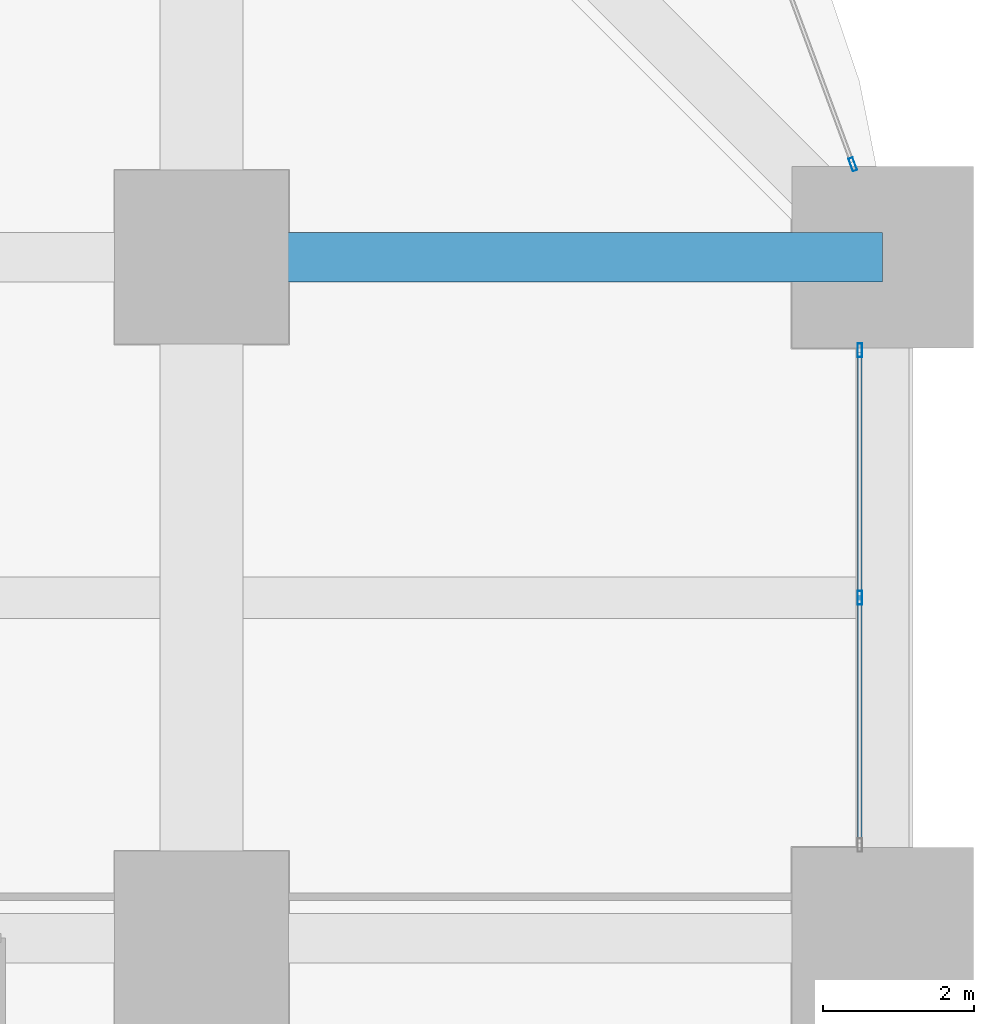
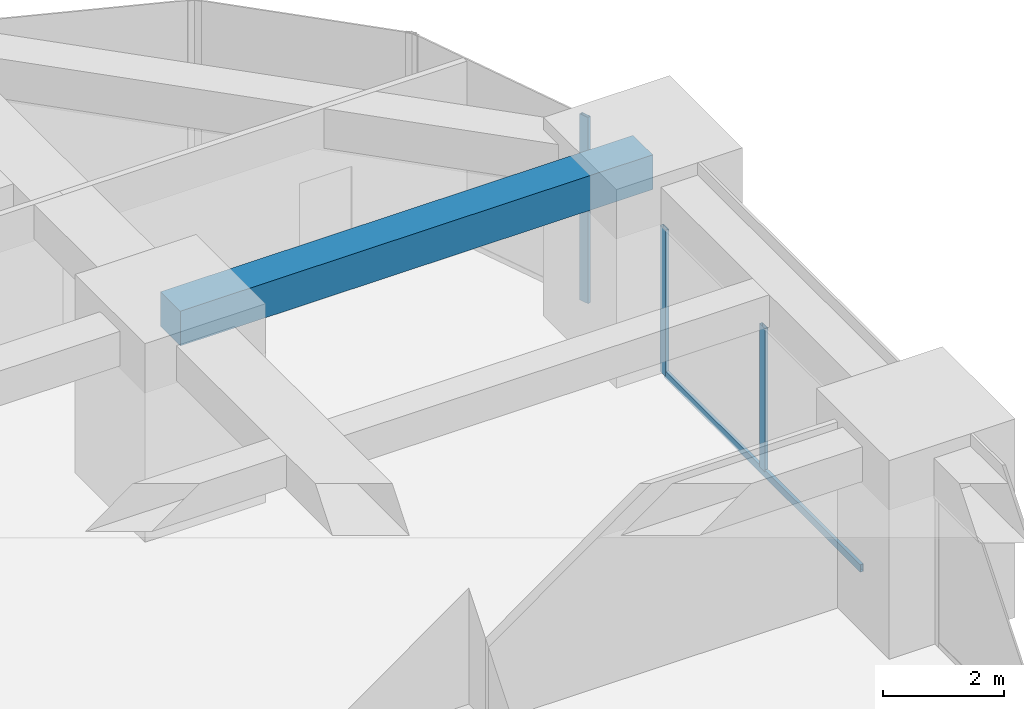
# One storey, part 34 of 45: 4 members, 1 beam, 2 elements without a shape of their own.
"""IFC4 building model written with IfcOpenShell, lengths in metres."""

from ifc_helpers import new_model, si_unit, direction, frame, origin, origin_2d, place, context, subcontext, project, spatial, rectangle, hollow_rectangle, extrude, material, material_profile, profile_set, type_object, element, aggregate, save


model = new_model("IFC4")

# Units and contexts
model_context = context("Model", 3, precision=1e-05, world=origin(), true_north=direction((0.0, 1.0)))
body_context = subcontext(model_context, "Body", "Model", "MODEL_VIEW")
ifc_project = project(units=[si_unit("LENGTHUNIT", "METRE"), si_unit("AREAUNIT", "SQUARE_METRE"), si_unit("VOLUMEUNIT", "CUBIC_METRE"), si_unit("PLANEANGLEUNIT", "RADIAN"), si_unit("MASSUNIT", "GRAM", prefix="KILO")], contexts=[model_context])

# Site, building, storey
site_placement = place(None, origin())
site = spatial("IfcSite", under=ifc_project, at=site_placement, CompositionType="ELEMENT")
building_placement = place(site_placement, origin())
building = spatial("IfcBuilding", under=site, at=building_placement, Name="Zorevar Civic Tower", CompositionType="ELEMENT")
storey_placement = place(building_placement, frame((0.0, 0.0, 39.800048828125)))
storey = spatial("IfcBuildingStorey", under=building, at=storey_placement, Name="L09", CompositionType="ELEMENT", Elevation=39.800048828125)

# Beam
ifc_material_1 = material(Name="Concrete C50/60", Category="concrete")
ifc_material_profile_1 = material_profile(ifc_material_1, rectangle(XDim=0.64990234375, YDim=0.699951171875, at=origin_2d()), Name="RC 650x700")
ifc_profile_set_1 = profile_set([ifc_material_profile_1], Name="Concrete C50/60")
beam_type = type_object("IfcBeamType", Name="Beam RC 650x700", PredefinedType="BEAM", material=ifc_profile_set_1)
beam_placement = place(storey_placement, frame((54.0, 45.0, 3.39990234375), z_axis=(1.0, 0.0, 0.0), x_axis=(0.0, 1.0, 0.0)))
element("IfcBeam", 1, at=beam_placement, inside=storey, type_object=beam_type, Name="Girder L10", PredefinedType="BEAM", context=body_context, shape_type="SweptSolid", body=[
    extrude(rectangle(XDim=0.64990234375, YDim=0.699951171875, at=origin_2d()), origin(), (0.0, 0.0, 1.0), 9.0),
])

# Curtain wall, members
ifc_material_2 = material(Name="Dark grey solar-control glass in black aluminium frame", Category="aluminium")
curtain_wall_type = type_object("IfcCurtainWallType", Name="Curtain wall CW2 low zone", PredefinedType="NOTDEFINED", material=ifc_material_2)
curtain_wall_1_placement = place(storey_placement, origin())
curtain_wall_1 = element("IfcCurtainWall", 2, at=curtain_wall_1_placement, inside=storey, type_object=curtain_wall_type, Name="CW2 L09", PredefinedType="NOTDEFINED")
ifc_material_3 = material(Name="Aluminium, black anodised", Category="aluminium")
ifc_material_profile_2 = material_profile(ifc_material_3, hollow_rectangle(XDim=0.06005859375, YDim=0.179931640625, WallThickness=0.00390625, at=origin_2d()), Name="AL 180x60x4")
ifc_profile_set_2 = profile_set([ifc_material_profile_2], Name="Aluminium, black anodised")
member_type_1 = type_object("IfcMemberType", Name="CW2 mullion AL 180x60x4", PredefinedType="MULLION", material=ifc_profile_set_2)
member_1_placement = place(storey_placement, frame((62.699951171875, 40.5, 0.06005859375), z_axis=(0.0, 0.0, 1.0), x_axis=(-1.0, 0.0, 0.0)))
member_1 = element("IfcMember", 3, at=member_1_placement, type_object=member_type_1, Name="CW2 mullion 2", PredefinedType="MULLION", context=body_context, shape_type="SweptSolid", body=[
    extrude(hollow_rectangle(XDim=0.06005859375, YDim=0.179931640625, WallThickness=0.00390625, at=origin_2d()), origin(), (0.0, 0.0, 1.0), 2.889892578125),
])
member_2_placement = place(storey_placement, frame((62.699951171875, 43.77001953125, 0.0), z_axis=(0.0, 0.0, 1.0), x_axis=(-1.0, 0.0, 0.0)))
member_2 = element("IfcMember", 4, at=member_2_placement, type_object=member_type_1, Name="CW2 mullion 3", PredefinedType="MULLION", context=body_context, shape_type="SweptSolid", body=[
    extrude(hollow_rectangle(XDim=0.06005859375, YDim=0.179931640625, WallThickness=0.00390625, at=origin_2d()), origin(), (0.0, 0.0, 1.0), 2.949951171875),
])

# Curtain wall, member
curtain_wall_2_placement = place(storey_placement, origin())
curtain_wall_2 = element("IfcCurtainWall", 5, at=curtain_wall_2_placement, inside=storey, type_object=curtain_wall_type, Name="CW2 L09", PredefinedType="NOTDEFINED")
member_3_placement = place(storey_placement, frame((62.6064453125, 46.22802734375, 0.0), z_axis=(0.0, 0.0, 1.0), x_axis=(-0.937974588163, -0.346704012033, 0.0)))
member_3 = element("IfcMember", 6, at=member_3_placement, type_object=member_type_1, Name="CW2 mullion 1", PredefinedType="MULLION", context=body_context, shape_type="SweptSolid", body=[
    extrude(hollow_rectangle(XDim=0.06005859375, YDim=0.179931640625, WallThickness=0.00390625, at=origin_2d()), origin(), (0.0, 0.0, 1.0), 3.75),
])
aggregate(curtain_wall_2, [member_3])

# Member
ifc_material_4 = material(Name="Aluminium, black anodised", Category="aluminium")
ifc_material_profile_3 = material_profile(ifc_material_4, hollow_rectangle(XDim=0.06005859375, YDim=0.14990234375, WallThickness=0.00390625, at=origin_2d()), Name="AL 150x60x4")
ifc_profile_set_3 = profile_set([ifc_material_profile_3], Name="Aluminium, black anodised")
member_type_2 = type_object("IfcMemberType", Name="CW2 transom AL 150x60x4", PredefinedType="USERDEFINED", material=ifc_profile_set_3)
member_4_placement = place(storey_placement, frame((62.699951171875, 37.260009765625, 0.030029296875), z_axis=(0.0, 1.0, 0.0), x_axis=(-1.0, 0.0, 0.0)))
member_4 = element("IfcMember", 7, at=member_4_placement, type_object=member_type_2, Name="CW2 sill transom", ObjectType="TRANSOM", PredefinedType="USERDEFINED", context=body_context, shape_type="SweptSolid", body=[
    extrude(hollow_rectangle(XDim=0.06005859375, YDim=0.14990234375, WallThickness=0.00390625, at=origin_2d()), origin(), (0.0, 0.0, 1.0), 6.47998046875),
])

aggregate(curtain_wall_1, [member_1, member_2, member_4])

save(model, "model.ifc")
